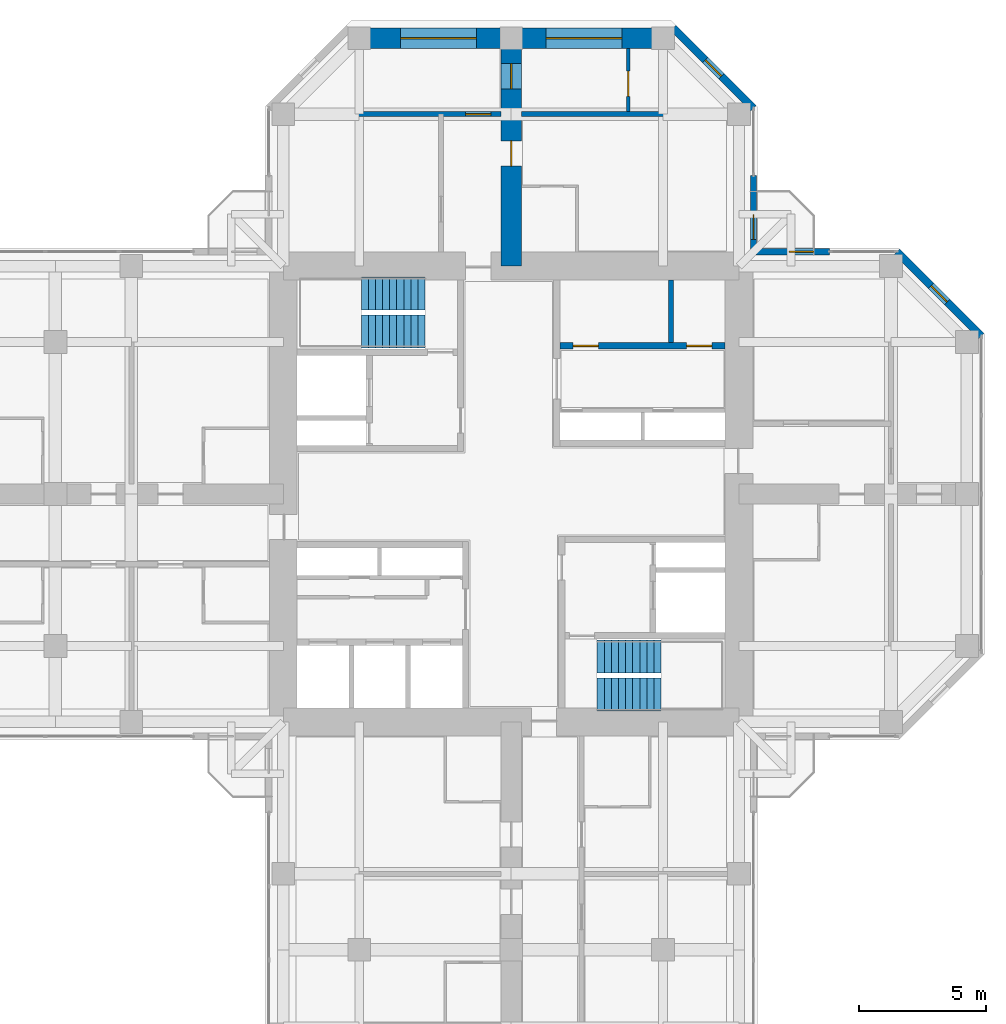
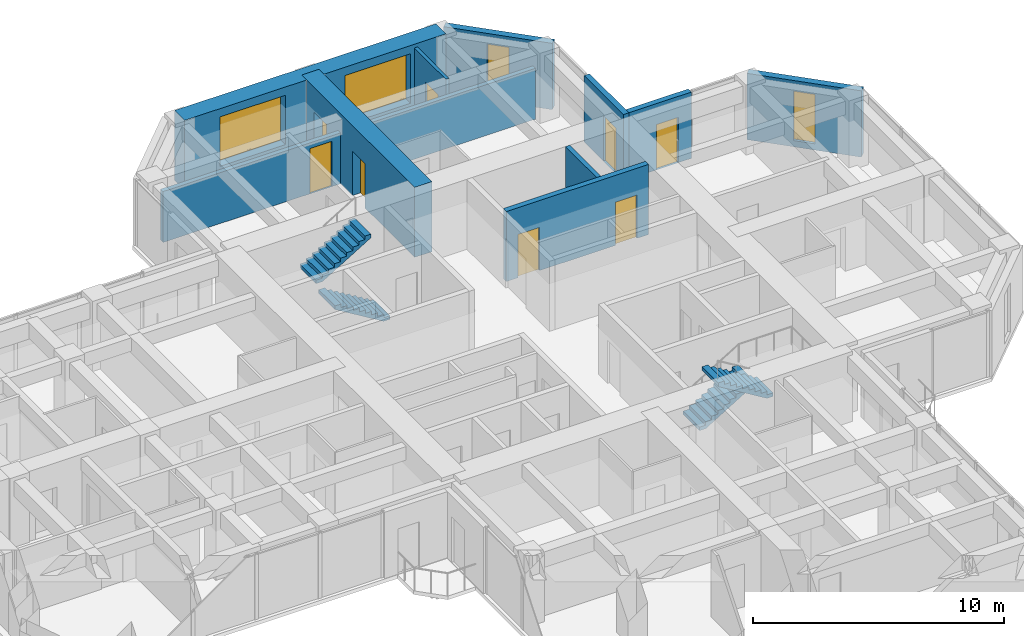
# One storey, part 12 of 13: 11 walls, 8 doors, 4 stair flights, 4 windows, 12 openings, 2 elements without a shape of their own.
"""IFC4 building model written with IfcOpenShell, lengths in metres."""

from ifc_helpers import new_model, si_unit, direction, frame, frame_2d, origin, place, context, subcontext, project, spatial, polyline, rectangle, hollow_rectangle, outline, extrude, material, layer, layer_set, constituent, constituent_set, type_object, element, fill, aggregate, save


model = new_model("IFC4")

# Units and contexts
model_context = context("Model", 3, precision=1e-05, world=origin(), true_north=direction((0.0, 1.0)))
body_context = subcontext(model_context, "Body", "Model", "MODEL_VIEW")
ifc_project = project(units=[si_unit("LENGTHUNIT", "METRE"), si_unit("AREAUNIT", "SQUARE_METRE"), si_unit("VOLUMEUNIT", "CUBIC_METRE"), si_unit("PLANEANGLEUNIT", "RADIAN"), si_unit("MASSUNIT", "GRAM", prefix="KILO")], contexts=[model_context])

# Site, building, storey
site_placement = place(None, origin())
site = spatial("IfcSite", under=ifc_project, at=site_placement, CompositionType="ELEMENT")
building_placement = place(site_placement, origin())
building = spatial("IfcBuilding", under=site, at=building_placement, Name="Torre Cruceta", CompositionType="ELEMENT")
storey_placement = place(building_placement, frame((0.0, 0.0, 189.89990234375)))
storey = spatial("IfcBuildingStorey", under=building, at=storey_placement, Name="L47", CompositionType="ELEMENT", Elevation=189.89990234375)

# Wall, openings, doors
ifc_material_1 = material(Name="Concrete G60 (fck 60 MPa)", Category="concrete")
ifc_layer_1 = layer(ifc_material_1, 0.25)
ifc_layer_set_1 = layer_set([ifc_layer_1], Name="Concrete G60 (fck 60 MPa)")
wall_type_1 = type_object("IfcWallType", Name="CORE INNER WALL 250 G60", PredefinedType="SHEAR", material=ifc_layer_set_1)
wall_1_placement = place(storey_placement, frame((1.925048828125, 5.85009765625, 0.0), z_axis=(0.0, 0.0, 1.0), x_axis=(1.0, 0.0, 0.0)))
wall_1 = element("IfcWall", 1, at=wall_1_placement, inside=storey, type_object=wall_type_1, Name="CW4 L47 NE-LV", PredefinedType="SHEAR", context=body_context, shape_type="SweptSolid", body=[
    extrude(rectangle(XDim=6.52490234375, YDim=0.25, at=frame_2d((3.262451171875, 0.0))), origin(), (0.0, 0.0, 1.0), 3.400146484375),
])
opening_1_placement = place(wall_1_placement, frame((0.520751953125, 0.0, 0.0)))
opening_1 = element("IfcOpeningElement", 2, at=opening_1_placement, cuts=wall_1, Name="Opening D3", PredefinedType="OPENING", context=body_context, shape_type="SweptSolid", body=[
    extrude(rectangle(XDim=1.0, YDim=2.10009765625, at=frame_2d((0.5, 1.050048828125))), frame((0.0, 0.135009765625, 0.0), z_axis=(0.0, -1.0, 0.0), x_axis=(1.0, 0.0, 0.0)), (0.0, 0.0, 1.0), 0.27001953125),
])
opening_2_placement = place(wall_1_placement, frame((5.004150390625, 0.0, 0.0)))
opening_2 = element("IfcOpeningElement", 3, at=opening_2_placement, cuts=wall_1, Name="Opening D3", PredefinedType="OPENING", context=body_context, shape_type="SweptSolid", body=[
    extrude(rectangle(XDim=1.0, YDim=2.10009765625, at=frame_2d((0.5, 1.050048828125))), frame((0.0, 0.135009765625, 0.0), z_axis=(0.0, -1.0, 0.0), x_axis=(1.0, 0.0, 0.0)), (0.0, 0.0, 1.0), 0.27001953125),
])
ifc_material_2 = material(Name="Steel DX51D", Category="steel")
ifc_constituent_1 = constituent(ifc_material_2, Name="Leaf and frame")
ifc_material_3 = material(Name="Polyester powder coating", Category="paint")
ifc_constituent_2 = constituent(ifc_material_3, Name="Finish")
ifc_constituent_set_1 = constituent_set(constituents=[ifc_constituent_1, ifc_constituent_2], Name="Steel fire door")
door_type_1 = type_object("IfcDoorType", Name="FIRE DOOR 1000X2100", OperationType="SINGLE_SWING_LEFT", PredefinedType="DOOR", material=ifc_constituent_set_1)
door_1_placement = place(opening_1_placement, origin())
door_1 = element("IfcDoor", 4, at=door_1_placement, inside=storey, type_object=door_type_1, Name="D3 L47 NE-HR1", OperationType="SINGLE_SWING_LEFT", OverallHeight=2.10009765625, OverallWidth=1.0, PredefinedType="DOOR", context=body_context, shape_type="SweptSolid", body=[
    extrude(rectangle(XDim=1.0, YDim=2.10009765625, at=frame_2d((0.5, 1.050048828125))), frame((0.0, 0.02490234375, 0.0), z_axis=(0.0, -1.0, 0.0), x_axis=(1.0, 0.0, 0.0)), (0.0, 0.0, 1.0), 0.050048828125),
])
fill(opening_1, door_1)
door_2_placement = place(opening_2_placement, origin())
door_2 = element("IfcDoor", 5, at=door_2_placement, inside=storey, type_object=door_type_1, Name="D3 L47 NE-HR2", OperationType="SINGLE_SWING_RIGHT", OverallHeight=2.10009765625, OverallWidth=1.0, PredefinedType="DOOR", context=body_context, shape_type="SweptSolid", body=[
    extrude(rectangle(XDim=1.0, YDim=2.10009765625, at=frame_2d((0.5, 1.050048828125))), frame((0.0, 0.02490234375, 0.0), z_axis=(0.0, -1.0, 0.0), x_axis=(1.0, 0.0, 0.0)), (0.0, 0.0, 1.0), 0.050048828125),
])
fill(opening_2, door_2)

# Wall, opening, window
ifc_material_4 = material(Name="Concrete G30 (fck 30 MPa)", Category="concrete")
ifc_layer_2 = layer(ifc_material_4, 0.300048828125)
ifc_layer_set_2 = layer_set([ifc_layer_2], Name="Concrete G30 (fck 30 MPa)")
wall_type_2 = type_object("IfcWallType", Name="EXPOSED CONCRETE FACADE WALL 300", PredefinedType="SOLIDWALL", material=ifc_layer_set_2)
wall_2_placement = place(storey_placement, frame((18.570068359375, 6.236083984375, 0.0), z_axis=(0.0, 0.0, 1.0), x_axis=(-0.707106781187, 0.707106781187, 0.0)))
wall_2 = element("IfcWall", 6, at=wall_2_placement, inside=storey, type_object=wall_type_2, Name="EW1 facade wall L47 E chamfer 03", PredefinedType="SOLIDWALL", context=body_context, shape_type="SweptSolid", body=[
    extrude(rectangle(XDim=4.715087890625, YDim=0.300048828125, at=frame_2d((2.357421875, 0.0))), origin(), (0.0, 0.0, 1.0), 3.22021484375),
])
opening_3_placement = place(wall_2_placement, frame((1.907470703125, 0.0, 0.300048828125)))
opening_3 = element("IfcOpeningElement", 7, at=opening_3_placement, cuts=wall_2, Name="Opening WN5", PredefinedType="OPENING", context=body_context, shape_type="SweptSolid", body=[
    extrude(rectangle(XDim=0.89990234375, YDim=2.39990234375, at=frame_2d((0.449951171875, 1.199951171875))), frame((0.0, 0.159912109375, 0.0), z_axis=(0.0, -1.0, 0.0), x_axis=(1.0, 0.0, 0.0)), (0.0, 0.0, 1.0), 0.320068359375),
])
ifc_material_5 = material(Name="Aluminium window frame", Category="aluminium")
ifc_constituent_3 = constituent(ifc_material_5, Name="Frame")
ifc_material_6 = material(Name="Laminated insulating glass unit, low-iron clear", Category="glass")
ifc_constituent_4 = constituent(ifc_material_6, Name="Glazing")
ifc_constituent_set_2 = constituent_set(constituents=[ifc_constituent_3, ifc_constituent_4], Name="Aluminium window")
window_type_1 = type_object("IfcWindowType", Name="CHAMFER SLOT WINDOW 900X2400", PartitioningType="SINGLE_PANEL", PredefinedType="WINDOW", material=ifc_constituent_set_2)
window_1_placement = place(opening_3_placement, origin())
window_1 = element("IfcWindow", 8, at=window_1_placement, inside=storey, type_object=window_type_1, Name="WN5 L47 E 1", OverallHeight=2.39990234375, OverallWidth=0.89990234375, PartitioningType="SINGLE_PANEL", PredefinedType="WINDOW", context=body_context, shape_type="SweptSolid", body=[
    extrude(hollow_rectangle(XDim=0.89990234375, YDim=2.39990234375, WallThickness=0.06005859375, at=frame_2d((0.449951171875, 1.199951171875))), frame((0.0, 0.030029296875, 0.0), z_axis=(0.0, -1.0, 0.0), x_axis=(1.0, 0.0, 0.0)), (0.0, 0.0, 1.0), 0.06005859375),
    extrude(rectangle(XDim=0.77880859375, YDim=2.27880859375, at=frame_2d((0.449951171875, 1.199951171875))), frame((0.0, 0.030029296875, 0.0), z_axis=(0.0, -1.0, 0.0), x_axis=(1.0, 0.0, 0.0)), (0.0, 0.0, 1.0), 0.06005859375),
])
fill(opening_3, window_1)

wall_3_placement = place(storey_placement, frame((9.570068359375, 15.236083984375, 0.0), z_axis=(0.0, 0.0, 1.0), x_axis=(-0.707134062067, 0.707079499254, 0.0)))
wall_3 = element("IfcWall", 9, at=wall_3_placement, inside=storey, type_object=wall_type_2, Name="EW1 facade wall L47 N chamfer 06", PredefinedType="SOLIDWALL", context=body_context, shape_type="SweptSolid", body=[
    extrude(rectangle(XDim=4.474609375, YDim=0.300048828125, at=frame_2d((2.2373046875, 0.0))), origin(), (0.0, 0.0, 1.0), 3.22021484375),
])
opening_4_placement = place(wall_3_placement, frame((1.787109375, 0.0, 0.300048828125)))
opening_4 = element("IfcOpeningElement", 10, at=opening_4_placement, cuts=wall_3, Name="Opening WN5", PredefinedType="OPENING", context=body_context, shape_type="SweptSolid", body=[
    extrude(rectangle(XDim=0.89990234375, YDim=2.39990234375, at=frame_2d((0.449951171875, 1.199951171875))), frame((0.0, 0.159912109375, 0.0), z_axis=(0.0, -1.0, 0.0), x_axis=(1.0, 0.0, 0.0)), (0.0, 0.0, 1.0), 0.320068359375),
])
window_2_placement = place(opening_4_placement, origin())
window_2 = element("IfcWindow", 11, at=window_2_placement, inside=storey, type_object=window_type_1, Name="WN5 L47 N 1", OverallHeight=2.39990234375, OverallWidth=0.89990234375, PartitioningType="SINGLE_PANEL", PredefinedType="WINDOW", context=body_context, shape_type="SweptSolid", body=[
    extrude(hollow_rectangle(XDim=0.89990234375, YDim=2.39990234375, WallThickness=0.06005859375, at=frame_2d((0.449951171875, 1.199951171875))), frame((0.0, 0.030029296875, 0.0), z_axis=(0.0, -1.0, 0.0), x_axis=(1.0, 0.0, 0.0)), (0.0, 0.0, 1.0), 0.06005859375),
    extrude(rectangle(XDim=0.77880859375, YDim=2.27880859375, at=frame_2d((0.449951171875, 1.199951171875))), frame((0.0, 0.030029296875, 0.0), z_axis=(0.0, -1.0, 0.0), x_axis=(1.0, 0.0, 0.0)), (0.0, 0.0, 1.0), 0.06005859375),
])
fill(opening_4, window_2)

# Wall
ifc_material_7 = material(Name="Concrete G35 (fck 35 MPa)", Category="concrete")
ifc_layer_3 = layer(ifc_material_7, 0.199951171875)
ifc_layer_set_3 = layer_set([ifc_layer_3], Name="Concrete G35 (fck 35 MPa)")
wall_type_3 = type_object("IfcWallType", Name="LIFT SHAFT WALL 200", PredefinedType="PARTITIONING", material=ifc_layer_set_3)
wall_4_placement = place(storey_placement, frame((6.308349609375, 5.97509765625, 0.0), z_axis=(0.0, 0.0, 1.0), x_axis=(0.0, 1.0, 0.0)))
element("IfcWall", 12, at=wall_4_placement, inside=storey, type_object=wall_type_3, Name="SW1 L47 NE-LS2", PredefinedType="PARTITIONING", context=body_context, shape_type="SweptSolid", body=[
    extrude(rectangle(XDim=2.474853515625, YDim=0.199951171875, at=frame_2d((1.2373046875, 0.0))), origin(), (0.0, 0.0, 1.0), 3.400146484375),
])

# Wall, openings, windows
ifc_material_8 = material(Name="Concrete G60 (fck 60 MPa)", Category="concrete")
ifc_layer_4 = layer(ifc_material_8, 0.800048828125)
ifc_layer_set_4 = layer_set([ifc_layer_4], Name="Concrete G60 (fck 60 MPa)")
wall_type_4 = type_object("IfcWallType", Name="NOSE WALL 800 G60", PredefinedType="SHEAR", material=ifc_layer_set_4)
wall_5_placement = place(storey_placement, frame((6.0, 18.0, 0.0), z_axis=(0.0, 0.0, 1.0), x_axis=(-1.0, 0.0, 0.0)))
wall_5 = element("IfcWall", 13, at=wall_5_placement, inside=storey, type_object=wall_type_4, Name="NW2 nose wall L47 N", PredefinedType="SHEAR", context=body_context, shape_type="SweptSolid", body=[
    extrude(rectangle(XDim=12.0, YDim=0.800048828125, at=frame_2d((6.0, 0.0))), origin(), (0.0, 0.0, 1.0), 3.400146484375),
])
opening_5_placement = place(wall_5_placement, frame((1.625, 0.0, 0.60009765625)))
opening_5 = element("IfcOpeningElement", 14, at=opening_5_placement, cuts=wall_5, Name="Opening WN6", PredefinedType="OPENING", context=body_context, shape_type="SweptSolid", body=[
    extrude(rectangle(XDim=3.0, YDim=2.39990234375, at=frame_2d((1.5, 1.199951171875))), frame((0.0, 0.409912109375, 0.0), z_axis=(0.0, -1.0, 0.0), x_axis=(1.0, 0.0, 0.0)), (0.0, 0.0, 1.0), 0.820068359375),
])
opening_6_placement = place(wall_5_placement, frame((7.375, 0.0, 0.60009765625)))
opening_6 = element("IfcOpeningElement", 15, at=opening_6_placement, cuts=wall_5, Name="Opening WN6", PredefinedType="OPENING", context=body_context, shape_type="SweptSolid", body=[
    extrude(rectangle(XDim=3.0, YDim=2.39990234375, at=frame_2d((1.5, 1.199951171875))), frame((0.0, 0.409912109375, 0.0), z_axis=(0.0, -1.0, 0.0), x_axis=(1.0, 0.0, 0.0)), (0.0, 0.0, 1.0), 0.820068359375),
])
ifc_material_9 = material(Name="Aluminium window frame", Category="aluminium")
ifc_constituent_5 = constituent(ifc_material_9, Name="Frame")
ifc_material_10 = material(Name="Laminated insulating glass unit, low-iron clear", Category="glass")
ifc_constituent_6 = constituent(ifc_material_10, Name="Glazing")
ifc_constituent_set_3 = constituent_set(constituents=[ifc_constituent_5, ifc_constituent_6], Name="Aluminium window")
window_type_2 = type_object("IfcWindowType", Name="NOSE WALL WINDOW 3000X2400", PartitioningType="SINGLE_PANEL", PredefinedType="WINDOW", material=ifc_constituent_set_3)
window_3_placement = place(opening_5_placement, origin())
window_3 = element("IfcWindow", 16, at=window_3_placement, inside=storey, type_object=window_type_2, Name="WN6 L47 N 1", OverallHeight=2.39990234375, OverallWidth=3.0, PartitioningType="SINGLE_PANEL", PredefinedType="WINDOW", context=body_context, shape_type="SweptSolid", body=[
    extrude(hollow_rectangle(XDim=3.0, YDim=2.39990234375, WallThickness=0.06005859375, at=frame_2d((1.5, 1.199951171875))), frame((0.0, 0.030029296875, 0.0), z_axis=(0.0, -1.0, 0.0), x_axis=(1.0, 0.0, 0.0)), (0.0, 0.0, 1.0), 0.06005859375),
    extrude(rectangle(XDim=2.87890625, YDim=2.27880859375, at=frame_2d((1.5, 1.199951171875))), frame((0.0, 0.030029296875, 0.0), z_axis=(0.0, -1.0, 0.0), x_axis=(1.0, 0.0, 0.0)), (0.0, 0.0, 1.0), 0.06005859375),
])
fill(opening_5, window_3)
window_4_placement = place(opening_6_placement, origin())
window_4 = element("IfcWindow", 17, at=window_4_placement, inside=storey, type_object=window_type_2, Name="WN6 L47 N 2", OverallHeight=2.39990234375, OverallWidth=3.0, PartitioningType="SINGLE_PANEL", PredefinedType="WINDOW", context=body_context, shape_type="SweptSolid", body=[
    extrude(hollow_rectangle(XDim=3.0, YDim=2.39990234375, WallThickness=0.06005859375, at=frame_2d((1.5, 1.199951171875))), frame((0.0, 0.030029296875, 0.0), z_axis=(0.0, -1.0, 0.0), x_axis=(1.0, 0.0, 0.0)), (0.0, 0.0, 1.0), 0.06005859375),
    extrude(rectangle(XDim=2.87890625, YDim=2.27880859375, at=frame_2d((1.5, 1.199951171875))), frame((0.0, 0.030029296875, 0.0), z_axis=(0.0, -1.0, 0.0), x_axis=(1.0, 0.0, 0.0)), (0.0, 0.0, 1.0), 0.06005859375),
])
fill(opening_6, window_4)

# Wall, opening, door
ifc_material_11 = material(Name="Plasterboard on steel studs", Category="steel")
ifc_layer_5 = layer(ifc_material_11, 0.14990234375)
ifc_layer_set_5 = layer_set([ifc_layer_5], Name="Plasterboard on steel studs")
wall_type_5 = type_object("IfcWallType", Name="PARTITION 150", PredefinedType="PARTITIONING", material=ifc_layer_set_5)
wall_6_placement = place(storey_placement, frame((4.625, 15.10009765625, 0.0), z_axis=(0.0, 0.0, 1.0), x_axis=(0.0, 1.0, 0.0)))
wall_6 = element("IfcWall", 18, at=wall_6_placement, inside=storey, type_object=wall_type_5, Name="PT1 L47-N-END2X", PredefinedType="PARTITIONING", context=body_context, shape_type="SweptSolid", body=[
    extrude(rectangle(XDim=2.5, YDim=0.14990234375, at=frame_2d((1.25, 0.0))), origin(), (0.0, 0.0, 1.0), 3.22021484375),
])
opening_7_placement = place(wall_6_placement, frame((0.60009765625, 0.0, 0.0)))
opening_7 = element("IfcOpeningElement", 19, at=opening_7_placement, cuts=wall_6, Name="Opening D3", PredefinedType="OPENING", context=body_context, shape_type="SweptSolid", body=[
    extrude(rectangle(XDim=1.0, YDim=2.10009765625, at=frame_2d((0.5, 1.050048828125))), frame((0.0, 0.0849609375, 0.0), z_axis=(0.0, -1.0, 0.0), x_axis=(1.0, 0.0, 0.0)), (0.0, 0.0, 1.0), 0.169921875),
])
door_3_placement = place(opening_7_placement, frame((1.0, 0.0, 0.0), z_axis=(0.0, 0.0, 1.0), x_axis=(-1.0, 0.0, 0.0)))
door_3 = element("IfcDoor", 20, at=door_3_placement, inside=storey, type_object=door_type_1, Name="D3 L47-N-END2X-D1", OperationType="SINGLE_SWING_RIGHT", OverallHeight=2.10009765625, OverallWidth=1.0, PredefinedType="DOOR", context=body_context, shape_type="SweptSolid", body=[
    extrude(rectangle(XDim=1.0, YDim=2.10009765625, at=frame_2d((0.5, 1.050048828125))), frame((0.0, 0.025146484375, 0.0), z_axis=(0.0, -1.0, 0.0), x_axis=(1.0, 0.0, 0.0)), (0.0, 0.0, 1.0), 0.050048828125),
])
fill(opening_7, door_3)

# Wall, openings, doors
ifc_material_12 = material(Name="Concrete G60 (fck 60 MPa)", Category="concrete")
ifc_layer_6 = layer(ifc_material_12, 0.800048828125)
ifc_layer_set_6 = layer_set([ifc_layer_6], Name="Concrete G60 (fck 60 MPa)")
wall_type_6 = type_object("IfcWallType", Name="SPINE WALL 800 G60", PredefinedType="SHEAR", material=ifc_layer_set_6)
wall_7_placement = place(storey_placement, frame((0.0, 9.0, 0.0), z_axis=(0.0, 0.0, 1.0), x_axis=(0.0, 1.0, 0.0)))
wall_7 = element("IfcWall", 21, at=wall_7_placement, inside=storey, type_object=wall_type_6, Name="SW4 spine wall L47 N", PredefinedType="SHEAR", context=body_context, shape_type="SweptSolid", body=[
    extrude(rectangle(XDim=9.0, YDim=0.800048828125, at=frame_2d((4.5, 0.0))), origin(), (0.0, 0.0, 1.0), 3.400146484375),
])
opening_8_placement = place(wall_7_placement, frame((3.949951171875, 0.0, 0.0)))
opening_8 = element("IfcOpeningElement", 22, at=opening_8_placement, cuts=wall_7, Name="Opening D6", PredefinedType="OPENING", context=body_context, shape_type="SweptSolid", body=[
    extrude(rectangle(XDim=1.0, YDim=2.14990234375, at=frame_2d((0.5, 1.074951171875))), frame((0.0, 0.409912109375, 0.0), z_axis=(0.0, -1.0, 0.0), x_axis=(1.0, 0.0, 0.0)), (0.0, 0.0, 1.0), 0.820068359375),
])
opening_9_placement = place(wall_7_placement, frame((7.0, 0.0, 0.0)))
opening_9 = element("IfcOpeningElement", 23, at=opening_9_placement, cuts=wall_7, Name="Opening D14", PredefinedType="OPENING", context=body_context, shape_type="SweptSolid", body=[
    extrude(rectangle(XDim=1.0, YDim=2.199951171875, at=frame_2d((0.5, 1.10009765625))), frame((0.0, 0.409912109375, 0.0), z_axis=(0.0, -1.0, 0.0), x_axis=(1.0, 0.0, 0.0)), (0.0, 0.0, 1.0), 0.820068359375),
])
ifc_material_13 = material(Name="Steel DX51D", Category="steel")
ifc_constituent_7 = constituent(ifc_material_13, Name="Leaf and frame")
ifc_material_14 = material(Name="Polyester powder coating", Category="paint")
ifc_constituent_8 = constituent(ifc_material_14, Name="Finish")
ifc_material_15 = material(Name="Fire-resisting glass", Category="glass")
ifc_constituent_9 = constituent(ifc_material_15, Name="Vision panel")
ifc_constituent_set_4 = constituent_set(constituents=[ifc_constituent_7, ifc_constituent_8, ifc_constituent_9], Name="Steel fire door with vision panel")
door_type_2 = type_object("IfcDoorType", Name="FIRE DOOR VISION PANEL 1000X2200", OperationType="SINGLE_SWING_RIGHT", PredefinedType="DOOR", material=ifc_constituent_set_4)
door_4_placement = place(opening_9_placement, frame((1.0, 0.0, 0.0), z_axis=(0.0, 0.0, 1.0), x_axis=(-1.0, 0.0, 0.0)))
door_4 = element("IfcDoor", 24, at=door_4_placement, inside=storey, type_object=door_type_2, Name="D14 L47-N-SP2", OperationType="SINGLE_SWING_LEFT", OverallHeight=2.199951171875, OverallWidth=1.0, PredefinedType="DOOR", context=body_context, shape_type="SweptSolid", body=[
    extrude(rectangle(XDim=1.0, YDim=2.199951171875, at=frame_2d((0.5, 1.10009765625))), frame((0.0, 0.025146484375, 0.0), z_axis=(0.0, -1.0, 0.0), x_axis=(1.0, 0.0, 0.0)), (0.0, 0.0, 1.0), 0.050048828125),
])
fill(opening_9, door_4)
ifc_material_16 = material(Name="Timber fire door", Category="wood")
door_type_3 = type_object("IfcDoorType", Name="UNIT ENTRANCE DOOR 1000X2150", OperationType="SINGLE_SWING_LEFT", PredefinedType="DOOR", material=ifc_material_16)
door_5_placement = place(opening_8_placement, frame((1.0, 0.0, 0.0), z_axis=(0.0, 0.0, 1.0), x_axis=(-1.0, 0.0, 0.0)))
door_5 = element("IfcDoor", 25, at=door_5_placement, inside=storey, type_object=door_type_3, Name="D6 L47-N-SP1", OperationType="SINGLE_SWING_RIGHT", OverallHeight=2.14990234375, OverallWidth=1.0, PredefinedType="DOOR", context=body_context, shape_type="SweptSolid", body=[
    extrude(rectangle(XDim=1.0, YDim=2.14990234375, at=frame_2d((0.5, 1.074951171875))), frame((0.0, 0.025146484375, 0.0), z_axis=(0.0, -1.0, 0.0), x_axis=(1.0, 0.0, 0.0)), (0.0, 0.0, 1.0), 0.050048828125),
])
fill(opening_8, door_5)

# Wall
ifc_material_17 = material(Name="Concrete G25 (fck 25 MPa)", Category="concrete")
ifc_layer_7 = layer(ifc_material_17, 0.199951171875)
ifc_layer_set_7 = layer_set([ifc_layer_7], Name="Concrete G25 (fck 25 MPa)")
wall_type_7 = type_object("IfcWallType", Name="UNIT SEPARATING WALL 200", PredefinedType="SOLIDWALL", material=ifc_layer_set_7)
wall_8_placement = place(storey_placement, frame((8.550048828125, 15.0, 0.0), z_axis=(0.0, 0.0, 1.0), x_axis=(-1.0, 0.0, 0.0)))
element("IfcWall", 26, at=wall_8_placement, inside=storey, type_object=wall_type_7, Name="PT2 L47-N-ENDa", PredefinedType="SOLIDWALL", context=body_context, shape_type="SweptSolid", body=[
    extrude(rectangle(XDim=8.150146484375, YDim=0.199951171875, at=frame_2d((4.0751953125, 0.0))), origin(), (0.0, 0.0, 1.0), 2.47021484375),
])

# Wall, opening, door
wall_9_placement = place(storey_placement, frame((-0.39990234375, 15.0, 0.0), z_axis=(0.0, 0.0, 1.0), x_axis=(-1.0, 0.0, 0.0)))
wall_9 = element("IfcWall", 27, at=wall_9_placement, inside=storey, type_object=wall_type_7, Name="PT2 L47-N-ENDb", PredefinedType="SOLIDWALL", context=body_context, shape_type="SweptSolid", body=[
    extrude(rectangle(XDim=8.150146484375, YDim=0.199951171875, at=frame_2d((4.0751953125, 0.0))), origin(), (0.0, 0.0, 1.0), 2.47021484375),
])
opening_10_placement = place(wall_9_placement, frame((0.39990234375, 0.0, 0.0)))
opening_10 = element("IfcOpeningElement", 28, at=opening_10_placement, cuts=wall_9, Name="Opening D14", PredefinedType="OPENING", context=body_context, shape_type="SweptSolid", body=[
    extrude(rectangle(XDim=1.0, YDim=2.199951171875, at=frame_2d((0.5, 1.10009765625))), frame((0.0, 0.10986328125, 0.0), z_axis=(0.0, -1.0, 0.0), x_axis=(1.0, 0.0, 0.0)), (0.0, 0.0, 1.0), 0.219970703125),
])
door_6_placement = place(opening_10_placement, frame((1.0, 0.0, 0.0), z_axis=(0.0, 0.0, 1.0), x_axis=(-1.0, 0.0, 0.0)))
door_6 = element("IfcDoor", 29, at=door_6_placement, inside=storey, type_object=door_type_2, Name="D14 L47-N-ENDb-D1", OperationType="SINGLE_SWING_RIGHT", OverallHeight=2.199951171875, OverallWidth=1.0, PredefinedType="DOOR", context=body_context, shape_type="SweptSolid", body=[
    extrude(rectangle(XDim=1.0, YDim=2.199951171875, at=frame_2d((0.5, 1.10009765625))), frame((0.0, 0.025146484375, 0.0), z_axis=(0.0, -1.0, 0.0), x_axis=(1.0, 0.0, 0.0)), (0.0, 0.0, 1.0), 0.050048828125),
])
fill(opening_10, door_6)

ifc_material_18 = material(Name="Concrete G30 (fck 30 MPa)", Category="concrete")
ifc_layer_8 = layer(ifc_material_18, 0.25)
ifc_layer_set_8 = layer_set([ifc_layer_8], Name="Concrete G30 (fck 30 MPa)")
wall_type_8 = type_object("IfcWallType", Name="WINTER GARDEN WALL 250", PredefinedType="SOLIDWALL", material=ifc_layer_set_8)
wall_10_placement = place(storey_placement, frame((12.570068359375, 9.570068359375, 0.0), z_axis=(0.0, 0.0, 1.0), x_axis=(-1.0, 0.0, 0.0)))
wall_10 = element("IfcWall", 30, at=wall_10_placement, inside=storey, type_object=wall_type_8, Name="EW2 winter garden wall L47 04", PredefinedType="SOLIDWALL", context=body_context, shape_type="SweptSolid", body=[
    extrude(rectangle(XDim=2.875, YDim=0.25, at=frame_2d((1.4375, 0.0))), origin(), (0.0, 0.0, 1.0), 3.22021484375),
])
opening_11_placement = place(wall_10_placement, frame((0.60009765625, 0.0, 0.0)))
opening_11 = element("IfcOpeningElement", 31, at=opening_11_placement, cuts=wall_10, Name="Opening D10", PredefinedType="OPENING", context=body_context, shape_type="SweptSolid", body=[
    extrude(rectangle(XDim=1.0, YDim=2.199951171875, at=frame_2d((0.5, 1.10009765625))), frame((0.0, 0.135009765625, 0.0), z_axis=(0.0, -1.0, 0.0), x_axis=(1.0, 0.0, 0.0)), (0.0, 0.0, 1.0), 0.27001953125),
])
ifc_material_19 = material(Name="Aluminium door frame", Category="aluminium")
ifc_constituent_10 = constituent(ifc_material_19, Name="Frame")
ifc_material_20 = material(Name="Laminated safety glass", Category="glass")
ifc_constituent_11 = constituent(ifc_material_20, Name="Glazing")
ifc_constituent_set_5 = constituent_set(constituents=[ifc_constituent_10, ifc_constituent_11], Name="Aluminium glazed door")
door_type_4 = type_object("IfcDoorType", Name="BALCONY DOOR 1000X2200", OperationType="SINGLE_SWING_RIGHT", PredefinedType="DOOR", material=ifc_constituent_set_5)
door_7_placement = place(opening_11_placement, origin())
door_7 = element("IfcDoor", 32, at=door_7_placement, inside=storey, type_object=door_type_4, Name="D10 balcony door L47 04", OperationType="SINGLE_SWING_RIGHT", OverallHeight=2.199951171875, OverallWidth=1.0, PredefinedType="DOOR", context=body_context, shape_type="SweptSolid", body=[
    extrude(hollow_rectangle(XDim=1.0, YDim=2.199951171875, WallThickness=0.06005859375, at=frame_2d((0.5, 1.10009765625))), frame((0.0, 0.02490234375, 0.0), z_axis=(0.0, -1.0, 0.0), x_axis=(1.0, 0.0, 0.0)), (0.0, 0.0, 1.0), 0.050048828125),
    extrude(rectangle(XDim=0.87890625, YDim=2.078857421875, at=frame_2d((0.5, 1.10009765625))), frame((0.0, 0.02490234375, 0.0), z_axis=(0.0, -1.0, 0.0), x_axis=(1.0, 0.0, 0.0)), (0.0, 0.0, 1.0), 0.050048828125),
])
fill(opening_11, door_7)

wall_11_placement = place(storey_placement, frame((9.570068359375, 9.445068359375, 0.0), z_axis=(0.0, 0.0, 1.0), x_axis=(0.0, 1.0, 0.0)))
wall_11 = element("IfcWall", 33, at=wall_11_placement, inside=storey, type_object=wall_type_8, Name="EW2 winter garden wall L47 05", PredefinedType="SOLIDWALL", context=body_context, shape_type="SweptSolid", body=[
    extrude(rectangle(XDim=3.125, YDim=0.25, at=frame_2d((1.5625, 0.0))), origin(), (0.0, 0.0, 1.0), 3.22021484375),
])
opening_12_placement = place(wall_11_placement, frame((0.60009765625, 0.0, 0.0)))
opening_12 = element("IfcOpeningElement", 34, at=opening_12_placement, cuts=wall_11, Name="Opening D10", PredefinedType="OPENING", context=body_context, shape_type="SweptSolid", body=[
    extrude(rectangle(XDim=1.0, YDim=2.199951171875, at=frame_2d((0.5, 1.10009765625))), frame((0.0, 0.135009765625, 0.0), z_axis=(0.0, -1.0, 0.0), x_axis=(1.0, 0.0, 0.0)), (0.0, 0.0, 1.0), 0.27001953125),
])
door_8_placement = place(opening_12_placement, origin())
door_8 = element("IfcDoor", 35, at=door_8_placement, inside=storey, type_object=door_type_4, Name="D10 balcony door L47 05", OperationType="SINGLE_SWING_LEFT", OverallHeight=2.199951171875, OverallWidth=1.0, PredefinedType="DOOR", context=body_context, shape_type="SweptSolid", body=[
    extrude(hollow_rectangle(XDim=1.0, YDim=2.199951171875, WallThickness=0.06005859375, at=frame_2d((0.5, 1.10009765625))), frame((0.0, 0.02490234375, 0.0), z_axis=(0.0, -1.0, 0.0), x_axis=(1.0, 0.0, 0.0)), (0.0, 0.0, 1.0), 0.050048828125),
    extrude(rectangle(XDim=0.87890625, YDim=2.078857421875, at=frame_2d((0.5, 1.10009765625))), frame((0.0, 0.02490234375, 0.0), z_axis=(0.0, -1.0, 0.0), x_axis=(1.0, 0.0, 0.0)), (0.0, 0.0, 1.0), 0.050048828125),
])
fill(opening_12, door_8)

# Stair, stair flights
ifc_material_21 = material(Name="Concrete G30 (fck 30 MPa)", Category="concrete")
stair_type = type_object("IfcStairType", Name="STAIR HALF-TURN 1300", PredefinedType="HALF_TURN_STAIR", material=ifc_material_21)
stair_1_placement = place(storey_placement, origin())
stair_1 = element("IfcStair", 36, at=stair_1_placement, inside=storey, type_object=stair_type, Name="Stair ST1 L47", PredefinedType="HALF_TURN_STAIR")
ifc_material_22 = material(Name="Concrete G30 (fck 30 MPa)", Category="concrete")
stair_flight_type = type_object("IfcStairFlightType", Name="STAIR FLIGHT 1300", PredefinedType="STRAIGHT", material=ifc_material_22)
stair_flight_1_placement = place(storey_placement, frame((-3.39990234375, 6.425048828125, 0.0), z_axis=(0.0, 0.0, 1.0), x_axis=(-1.0, 0.0, 0.0)))
stair_flight_1 = element("IfcStairFlight", 37, at=stair_flight_1_placement, type_object=stair_flight_type, Name="ST1 flight 1", NumberOfRisers=10, NumberOfTreads=9, PredefinedType="STRAIGHT", RiserHeight=0.17, TreadLength=0.28, context=body_context, shape_type="SweptSolid", body=[
    extrude(outline(polyline([(0.0, 0.0), (0.0, 0.169921875), (0.280029296875, 0.169921875), (0.280029296875, 0.340087890625), (0.56005859375, 0.340087890625), (0.56005859375, 0.510009765625), (0.840087890625, 0.510009765625), (0.840087890625, 0.679931640625), (1.1201171875, 0.679931640625), (1.1201171875, 0.85009765625), (1.39990234375, 0.85009765625), (1.39990234375, 1.02001953125), (1.679931640625, 1.02001953125), (1.679931640625, 1.18994140625), (1.9599609375, 1.18994140625), (1.9599609375, 1.360107421875), (2.239990234375, 1.360107421875), (2.239990234375, 1.530029296875), (2.52001953125, 1.530029296875), (2.52001953125, 1.699951171875), (2.52001953125, 1.354736328125), (0.288818359375, 0.0), (0.0, 0.0)])), frame((0.0, 0.64990234375, 0.0), z_axis=(0.0, -1.0, 0.0), x_axis=(1.0, 0.0, 0.0)), (0.0, 0.0, 1.0), 1.300048828125),
])
stair_flight_2_placement = place(storey_placement, frame((-5.919921875, 7.925048828125, 1.7001953125), z_axis=(0.0, 0.0, 1.0), x_axis=(1.0, 0.0, 0.0)))
stair_flight_2 = element("IfcStairFlight", 38, at=stair_flight_2_placement, type_object=stair_flight_type, Name="ST1 flight 2", NumberOfRisers=10, NumberOfTreads=9, PredefinedType="STRAIGHT", RiserHeight=0.17, TreadLength=0.28, context=body_context, shape_type="SweptSolid", body=[
    extrude(outline(polyline([(0.0, 0.0), (0.0, 0.169921875), (0.280029296875, 0.169921875), (0.280029296875, 0.340087890625), (0.56005859375, 0.340087890625), (0.56005859375, 0.510009765625), (0.840087890625, 0.510009765625), (0.840087890625, 0.679931640625), (1.1201171875, 0.679931640625), (1.1201171875, 0.85009765625), (1.39990234375, 0.85009765625), (1.39990234375, 1.02001953125), (1.679931640625, 1.02001953125), (1.679931640625, 1.18994140625), (1.9599609375, 1.18994140625), (1.9599609375, 1.360107421875), (2.239990234375, 1.360107421875), (2.239990234375, 1.530029296875), (2.52001953125, 1.530029296875), (2.52001953125, 1.699951171875), (2.52001953125, 1.354736328125), (0.288818359375, 0.0), (0.0, 0.0)])), frame((0.0, 0.64990234375, 0.0), z_axis=(0.0, -1.0, 0.0), x_axis=(1.0, 0.0, 0.0)), (0.0, 0.0, 1.0), 1.300048828125),
])
aggregate(stair_1, [stair_flight_1, stair_flight_2])

stair_2_placement = place(storey_placement, origin())
stair_2 = element("IfcStair", 39, at=stair_2_placement, inside=storey, type_object=stair_type, Name="Stair ST2 L47", PredefinedType="HALF_TURN_STAIR")
stair_flight_3_placement = place(storey_placement, frame((3.39990234375, -6.425048828125, 0.0), z_axis=(0.0, 0.0, 1.0), x_axis=(1.0, 0.0, 0.0)))
stair_flight_3 = element("IfcStairFlight", 40, at=stair_flight_3_placement, type_object=stair_flight_type, Name="ST2 flight 1", NumberOfRisers=10, NumberOfTreads=9, PredefinedType="STRAIGHT", RiserHeight=0.17, TreadLength=0.28, context=body_context, shape_type="SweptSolid", body=[
    extrude(outline(polyline([(0.0, 0.0), (0.0, 0.169921875), (0.280029296875, 0.169921875), (0.280029296875, 0.340087890625), (0.56005859375, 0.340087890625), (0.56005859375, 0.510009765625), (0.840087890625, 0.510009765625), (0.840087890625, 0.679931640625), (1.1201171875, 0.679931640625), (1.1201171875, 0.85009765625), (1.39990234375, 0.85009765625), (1.39990234375, 1.02001953125), (1.679931640625, 1.02001953125), (1.679931640625, 1.18994140625), (1.9599609375, 1.18994140625), (1.9599609375, 1.360107421875), (2.239990234375, 1.360107421875), (2.239990234375, 1.530029296875), (2.52001953125, 1.530029296875), (2.52001953125, 1.699951171875), (2.52001953125, 1.354736328125), (0.288818359375, 0.0), (0.0, 0.0)])), frame((0.0, 0.64990234375, 0.0), z_axis=(0.0, -1.0, 0.0), x_axis=(1.0, 0.0, 0.0)), (0.0, 0.0, 1.0), 1.300048828125),
])
stair_flight_4_placement = place(storey_placement, frame((5.919921875, -7.925048828125, 1.7001953125), z_axis=(0.0, 0.0, 1.0), x_axis=(-1.0, 0.0, 0.0)))
stair_flight_4 = element("IfcStairFlight", 41, at=stair_flight_4_placement, type_object=stair_flight_type, Name="ST2 flight 2", NumberOfRisers=10, NumberOfTreads=9, PredefinedType="STRAIGHT", RiserHeight=0.17, TreadLength=0.28, context=body_context, shape_type="SweptSolid", body=[
    extrude(outline(polyline([(0.0, 0.0), (0.0, 0.169921875), (0.280029296875, 0.169921875), (0.280029296875, 0.340087890625), (0.56005859375, 0.340087890625), (0.56005859375, 0.510009765625), (0.840087890625, 0.510009765625), (0.840087890625, 0.679931640625), (1.1201171875, 0.679931640625), (1.1201171875, 0.85009765625), (1.39990234375, 0.85009765625), (1.39990234375, 1.02001953125), (1.679931640625, 1.02001953125), (1.679931640625, 1.18994140625), (1.9599609375, 1.18994140625), (1.9599609375, 1.360107421875), (2.239990234375, 1.360107421875), (2.239990234375, 1.530029296875), (2.52001953125, 1.530029296875), (2.52001953125, 1.699951171875), (2.52001953125, 1.354736328125), (0.288818359375, 0.0), (0.0, 0.0)])), frame((0.0, 0.64990234375, 0.0), z_axis=(0.0, -1.0, 0.0), x_axis=(1.0, 0.0, 0.0)), (0.0, 0.0, 1.0), 1.300048828125),
])
aggregate(stair_2, [stair_flight_3, stair_flight_4])

save(model, "model.ifc")
